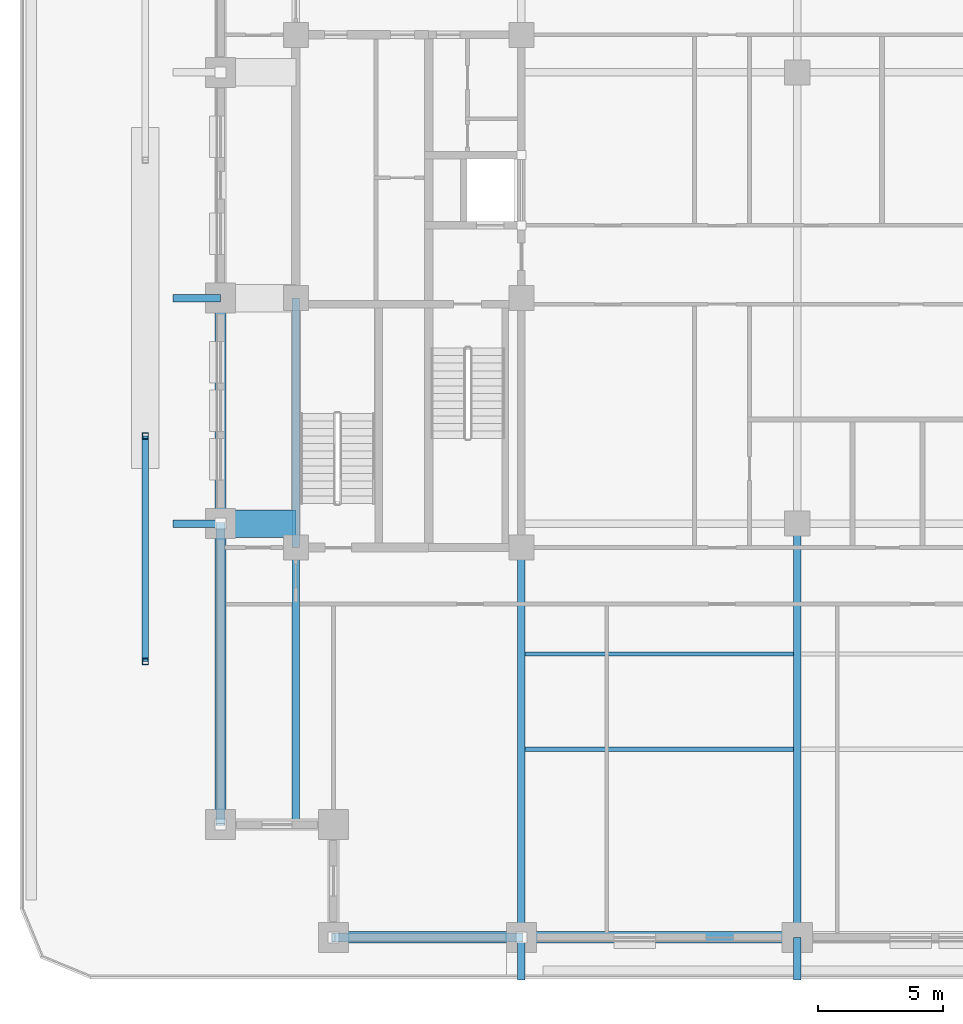
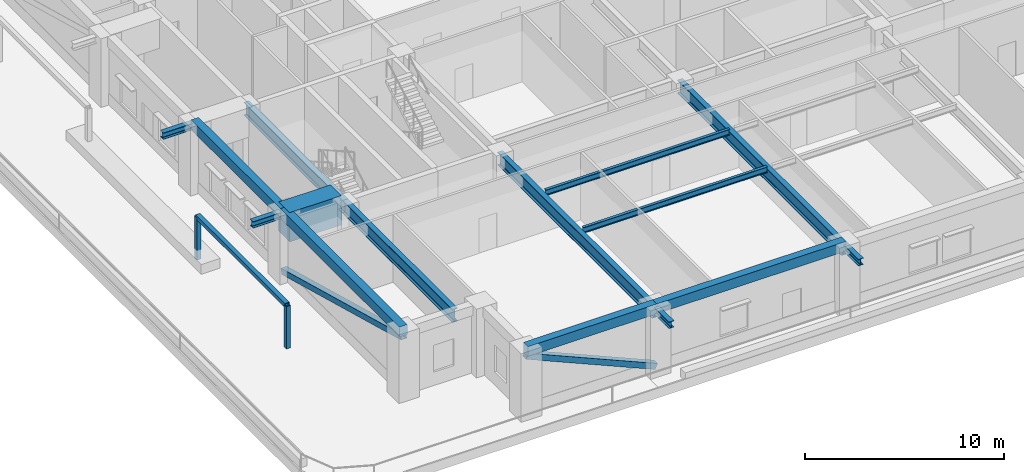
# One storey, part 2 of 21: 15 beams, 5 members.
"""IFC4 building model written with IfcOpenShell, lengths in metres."""

from ifc_helpers import new_model, si_unit, direction, frame, origin, origin_2d, place, context, subcontext, project, spatial, rectangle, hollow_rectangle, i_section, extrude, material, material_profile, profile_set, type_object, element, save


model = new_model("IFC4")

# Units and contexts
model_context = context("Model", 3, precision=1e-05, world=origin(), true_north=direction((0.0, 1.0)))
body_context = subcontext(model_context, "Body", "Model", "MODEL_VIEW")
ifc_project = project(units=[si_unit("LENGTHUNIT", "METRE"), si_unit("AREAUNIT", "SQUARE_METRE"), si_unit("VOLUMEUNIT", "CUBIC_METRE"), si_unit("PLANEANGLEUNIT", "RADIAN"), si_unit("MASSUNIT", "GRAM", prefix="KILO")], contexts=[model_context])

# Site, building, storey
site_placement = place(None, origin())
site = spatial("IfcSite", under=ifc_project, at=site_placement, CompositionType="ELEMENT")
building_placement = place(site_placement, origin())
building = spatial("IfcBuilding", under=site, at=building_placement, Name="Zulmaris Gate Convention Tower", CompositionType="ELEMENT")
storey_placement = place(building_placement, frame((0.0, 0.0, 86.93994140625)))
storey = spatial("IfcBuildingStorey", under=building, at=storey_placement, Name="L21", CompositionType="ELEMENT", Elevation=86.93994140625)

# Beams
ifc_material_1 = material(Name="Steel S355", Category="steel")
ifc_material_profile_1 = material_profile(ifc_material_1, i_section(OverallWidth=0.300048828125, OverallDepth=0.39990234375, WebThickness=0.013427734375, FlangeThickness=0.02392578125, FilletRadius=0.027099609375, at=origin_2d()), Name="HEB 400")
ifc_profile_set_1 = profile_set([ifc_material_profile_1], Name="Steel S355")
beam_type_1 = type_object("IfcBeamType", Name="BM-HEB400", PredefinedType="BEAM", material=ifc_profile_set_1)
for number, where, z_axis, x_axis, name in (
    (1, (-11.0, -27.199951171875, 3.79296875), (0.0, 1.0, 0.0), (-1.0, 0.0, 0.0), "L21 Beam TBRK-L21-S--11"),
    (2, (0.0, -27.199951171875, 3.79296875), (0.0, 1.0, 0.0), (-1.0, 0.0, 0.0), "L21 Beam TBRK-L21-S-+0"),
):
    element("IfcBeam", number, at=place(storey_placement, frame(where, z_axis=z_axis, x_axis=x_axis)), inside=storey, type_object=beam_type_1, Name=name, PredefinedType="BEAM", context=body_context, shape_type="SweptSolid", body=[
        extrude(i_section(OverallWidth=0.300048828125, OverallDepth=0.39990234375, WebThickness=0.013427734375, FlangeThickness=0.02392578125, FilletRadius=0.027099609375, at=origin_2d()), origin(), (0.0, 0.0, 1.0), 1.699951171875),
    ])
for number, where, z_axis, x_axis, name in (
    (3, (-24.89990234375, -9.0, 3.830078125), (1.0, 0.0, 0.0), (0.0, 1.0, 0.0), "L21 Beam TBRK-L21-W--9"),
    (4, (-24.89990234375, 0.0, 3.830078125), (1.0, 0.0, 0.0), (0.0, 1.0, 0.0), "L21 Beam TBRK-L21-W-+0"),
):
    element("IfcBeam", number, at=place(storey_placement, frame(where, z_axis=z_axis, x_axis=x_axis)), inside=storey, type_object=beam_type_1, Name=name, PredefinedType="BEAM", context=body_context, shape_type="SweptSolid", body=[
        extrude(i_section(OverallWidth=0.300048828125, OverallDepth=0.39990234375, WebThickness=0.013427734375, FlangeThickness=0.02392578125, FilletRadius=0.027099609375, at=origin_2d()), origin(), (0.0, 0.0, 1.0), 1.89990234375),
    ])
ifc_material_profile_2 = material_profile(ifc_material_1, i_section(OverallWidth=0.300048828125, OverallDepth=0.800048828125, WebThickness=0.017578125, FlangeThickness=0.032958984375, FilletRadius=0.030029296875, at=origin_2d()), Name="HEB 800")
ifc_profile_set_2 = profile_set([ifc_material_profile_2], Name="Steel S355")
beam_type_2 = type_object("IfcBeamType", Name="BM-HEB800", PredefinedType="BEAM", material=ifc_profile_set_2)
beam_1_placement = place(storey_placement, frame((0.0, -25.5, 3.593017578125), z_axis=(0.0, 1.0, 0.0), x_axis=(-1.0, 0.0, 0.0)))
element("IfcBeam", 5, at=beam_1_placement, inside=storey, type_object=beam_type_2, Name="L21 Beam BM-L21-G05", PredefinedType="BEAM", context=body_context, shape_type="SweptSolid", body=[
    extrude(i_section(OverallWidth=0.300048828125, OverallDepth=0.800048828125, WebThickness=0.017578125, FlangeThickness=0.032958984375, FilletRadius=0.030029296875, at=origin_2d()), origin(), (0.0, 0.0, 1.0), 16.5),
])
beam_2_placement = place(storey_placement, frame((-11.0, -25.5, 3.593017578125), z_axis=(0.0, 1.0, 0.0), x_axis=(-1.0, 0.0, 0.0)))
element("IfcBeam", 6, at=beam_2_placement, inside=storey, type_object=beam_type_2, Name="L21 Beam BM-L21-G08", PredefinedType="BEAM", context=body_context, shape_type="SweptSolid", body=[
    extrude(i_section(OverallWidth=0.300048828125, OverallDepth=0.800048828125, WebThickness=0.017578125, FlangeThickness=0.032958984375, FilletRadius=0.030029296875, at=origin_2d()), origin(), (0.0, 0.0, 1.0), 15.550048828125),
])
beam_3_placement = place(storey_placement, frame((-20.0, -21.0, 3.76806640625), z_axis=(0.0, 1.0, 0.0), x_axis=(-1.0, 0.0, 0.0)))
element("IfcBeam", 7, at=beam_3_placement, inside=storey, type_object=beam_type_2, Name="L21 Beam BM-L21-G12", PredefinedType="BEAM", context=body_context, shape_type="SweptSolid", body=[
    extrude(i_section(OverallWidth=0.300048828125, OverallDepth=0.800048828125, WebThickness=0.017578125, FlangeThickness=0.032958984375, FilletRadius=0.030029296875, at=origin_2d()), origin(), (0.0, 0.0, 1.0), 11.050048828125),
])
beam_4_placement = place(storey_placement, frame((-20.0, -9.949951171875, 3.76806640625), z_axis=(0.0, 1.0, 0.0), x_axis=(-1.0, 0.0, 0.0)))
element("IfcBeam", 8, at=beam_4_placement, inside=storey, type_object=beam_type_2, Name="L21 Beam BM-L21-G26", PredefinedType="BEAM", context=body_context, shape_type="SweptSolid", body=[
    extrude(i_section(OverallWidth=0.300048828125, OverallDepth=0.800048828125, WebThickness=0.017578125, FlangeThickness=0.032958984375, FilletRadius=0.030029296875, at=origin_2d()), origin(), (0.0, 0.0, 1.0), 9.949951171875),
])
ifc_material_2 = material(Name="Precast concrete C50/60", Category="concrete")
ifc_material_profile_3 = material_profile(ifc_material_2, rectangle(XDim=0.449951171875, YDim=0.60009765625, at=origin_2d()), Name="RC SPANDREL 450x600")
ifc_profile_set_3 = profile_set([ifc_material_profile_3], Name="Precast concrete C50/60")
beam_type_3 = type_object("IfcBeamType", Name="BM-SP450x600", PredefinedType="SPANDREL", material=ifc_profile_set_3)
beam_5_placement = place(storey_placement, frame((-18.5, -25.5, 3.869873046875), z_axis=(1.0, 0.0, 0.0), x_axis=(0.0, 1.0, 0.0)))
element("IfcBeam", 9, at=beam_5_placement, inside=storey, type_object=beam_type_3, Name="L21 Spandrel SP-L21-01", PredefinedType="SPANDREL", context=body_context, shape_type="SweptSolid", body=[
    extrude(rectangle(XDim=0.449951171875, YDim=0.60009765625, at=origin_2d()), origin(), (0.0, 0.0, 1.0), 7.5),
])
beam_6_placement = place(storey_placement, frame((-11.0, -25.5, 3.869873046875), z_axis=(1.0, 0.0, 0.0), x_axis=(0.0, 1.0, 0.0)))
element("IfcBeam", 10, at=beam_6_placement, inside=storey, type_object=beam_type_3, Name="L21 Spandrel SP-L21-02", PredefinedType="SPANDREL", context=body_context, shape_type="SweptSolid", body=[
    extrude(rectangle(XDim=0.449951171875, YDim=0.60009765625, at=origin_2d()), origin(), (0.0, 0.0, 1.0), 11.0),
])
beam_7_placement = place(storey_placement, frame((-23.0, 0.0, 3.869873046875), z_axis=(0.0, -1.0, 0.0), x_axis=(1.0, 0.0, 0.0)))
element("IfcBeam", 11, at=beam_7_placement, inside=storey, type_object=beam_type_3, Name="L21 Spandrel SP-L21-21", PredefinedType="SPANDREL", context=body_context, shape_type="SweptSolid", body=[
    extrude(rectangle(XDim=0.449951171875, YDim=0.60009765625, at=origin_2d()), origin(), (0.0, 0.0, 1.0), 9.0),
])
beam_8_placement = place(storey_placement, frame((-23.0, -9.0, 3.869873046875), z_axis=(0.0, -1.0, 0.0), x_axis=(1.0, 0.0, 0.0)))
element("IfcBeam", 12, at=beam_8_placement, inside=storey, type_object=beam_type_3, Name="L21 Spandrel SP-L21-22", PredefinedType="SPANDREL", context=body_context, shape_type="SweptSolid", body=[
    extrude(rectangle(XDim=0.449951171875, YDim=0.60009765625, at=origin_2d()), origin(), (0.0, 0.0, 1.0), 12.0),
])
ifc_material_3 = material(Name="Concrete C80/95", Category="concrete")
ifc_material_profile_4 = material_profile(ifc_material_3, rectangle(XDim=1.10009765625, YDim=1.800048828125, at=origin_2d()), Name="RC TRANSFER 1100x1800")
ifc_profile_set_4 = profile_set([ifc_material_profile_4], Name="Concrete C80/95")
beam_type_4 = type_object("IfcBeamType", Name="BM-XFER1800", PredefinedType="BEAM", material=ifc_profile_set_4)
beam_9_placement = place(storey_placement, frame((-23.0, -9.0, 3.27001953125), z_axis=(1.0, 0.0, 0.0), x_axis=(0.0, 1.0, 0.0)))
element("IfcBeam", 13, at=beam_9_placement, inside=storey, type_object=beam_type_4, Name="L21 Beam BM-L21-G16", PredefinedType="BEAM", context=body_context, shape_type="SweptSolid", body=[
    extrude(rectangle(XDim=1.10009765625, YDim=1.800048828125, at=origin_2d()), origin(), (0.0, 0.0, 1.0), 3.0),
])

# Members
ifc_material_4 = material(Name="Steel S460", Category="steel")
ifc_material_profile_5 = material_profile(ifc_material_4, hollow_rectangle(XDim=0.35009765625, YDim=0.35009765625, WallThickness=0.01611328125, at=origin_2d()), Name="SHS 350x350x16")
ifc_profile_set_5 = profile_set([ifc_material_profile_5], Name="Steel S460")
member_type_1 = type_object("IfcMemberType", Name="BR-SHS350", PredefinedType="BRACE", material=ifc_profile_set_5)
member_1_placement = place(storey_placement, frame((-23.0, -9.0, 0.300048828125), z_axis=(0.0, -0.96522637192, 0.261415475728), x_axis=(1.0, 0.0, 0.0)))
element("IfcMember", 14, at=member_1_placement, inside=storey, type_object=member_type_1, Name="L21 Perimeter Tube Diagonal SW-W", PredefinedType="BRACE", context=body_context, shape_type="SweptSolid", body=[
    extrude(hollow_rectangle(XDim=0.35009765625, YDim=0.35009765625, WallThickness=0.01611328125, at=origin_2d()), origin(), (0.0, 0.0, 1.0), 12.432373046875),
])
member_2_placement = place(storey_placement, frame((-11.0, -25.5, 0.300048828125), z_axis=(-0.91755562531, 0.0, 0.397607437634), x_axis=(0.0, -1.0, 0.0)))
element("IfcMember", 15, at=member_2_placement, inside=storey, type_object=member_type_1, Name="L21 Perimeter Tube Diagonal SW-S", PredefinedType="BRACE", context=body_context, shape_type="SweptSolid", body=[
    extrude(hollow_rectangle(XDim=0.35009765625, YDim=0.35009765625, WallThickness=0.01611328125, at=origin_2d()), origin(), (0.0, 0.0, 1.0), 8.173828125),
])

# Beams
ifc_material_profile_6 = material_profile(ifc_material_1, i_section(OverallWidth=0.169921875, OverallDepth=0.360107421875, WebThickness=0.008056640625, FlangeThickness=0.0126953125, FilletRadius=0.01806640625, at=origin_2d()), Name="IPE 360")
ifc_profile_set_6 = profile_set([ifc_material_profile_6], Name="Steel S355")
beam_type_5 = type_object("IfcBeamType", Name="JT-IPE360", PredefinedType="JOIST", material=ifc_profile_set_6)
for number, where, z_axis, x_axis, name in (
    (16, (-10.85009765625, -18.0, 3.988037109375), (1.0, 0.0, 0.0), (0.0, 1.0, 0.0), "L21 Joist JT-L21-CW--18.0"),
    (17, (-10.85009765625, -14.199951171875, 3.988037109375), (1.0, 0.0, 0.0), (0.0, 1.0, 0.0), "L21 Joist JT-L21-CW--14.2"),
):
    element("IfcBeam", number, at=place(storey_placement, frame(where, z_axis=z_axis, x_axis=x_axis)), inside=storey, type_object=beam_type_5, Name=name, PredefinedType="JOIST", context=body_context, shape_type="SweptSolid", body=[
        extrude(i_section(OverallWidth=0.169921875, OverallDepth=0.360107421875, WebThickness=0.008056640625, FlangeThickness=0.0126953125, FilletRadius=0.01806640625, at=origin_2d()), origin(), (0.0, 0.0, 1.0), 10.7001953125),
    ])

# Members
ifc_material_profile_7 = material_profile(ifc_material_1, hollow_rectangle(XDim=0.25, YDim=0.25, WallThickness=0.012451171875, at=origin_2d()), Name="SHS 250x250x12.5")
ifc_profile_set_7 = profile_set([ifc_material_profile_7], Name="Steel S355")
member_type_2 = type_object("IfcMemberType", Name="ST-SHS250", PredefinedType="STRUT", material=ifc_profile_set_7)
for number, where, z_axis, x_axis, name in (
    (18, (-26.0, -14.5, -0.0400390625), (0.0, 0.0, 1.0), (1.0, 0.0, 0.0), "L21 Exposed Terrace Planted Pergola Post 1A"),
    (19, (-26.0, -5.5, -0.0400390625), (0.0, 0.0, 1.0), (1.0, 0.0, 0.0), "L21 Exposed Terrace Planted Pergola Post 1B"),
):
    element("IfcMember", number, at=place(storey_placement, frame(where, z_axis=z_axis, x_axis=x_axis)), inside=storey, type_object=member_type_2, Name=name, PredefinedType="STRUT", context=body_context, shape_type="SweptSolid", body=[
        extrude(hollow_rectangle(XDim=0.25, YDim=0.25, WallThickness=0.012451171875, at=origin_2d()), origin(), (0.0, 0.0, 1.0), 2.60009765625),
    ])
member_3_placement = place(storey_placement, frame((-26.0, -14.5, 2.56005859375), z_axis=(0.0, 1.0, 0.0), x_axis=(-1.0, 0.0, 0.0)))
element("IfcMember", 20, at=member_3_placement, inside=storey, type_object=member_type_2, Name="L21 Exposed Terrace Planted Pergola Beam 1", PredefinedType="STRUT", context=body_context, shape_type="SweptSolid", body=[
    extrude(hollow_rectangle(XDim=0.25, YDim=0.25, WallThickness=0.012451171875, at=origin_2d()), origin(), (0.0, 0.0, 1.0), 9.0),
])

save(model, "model.ifc")
